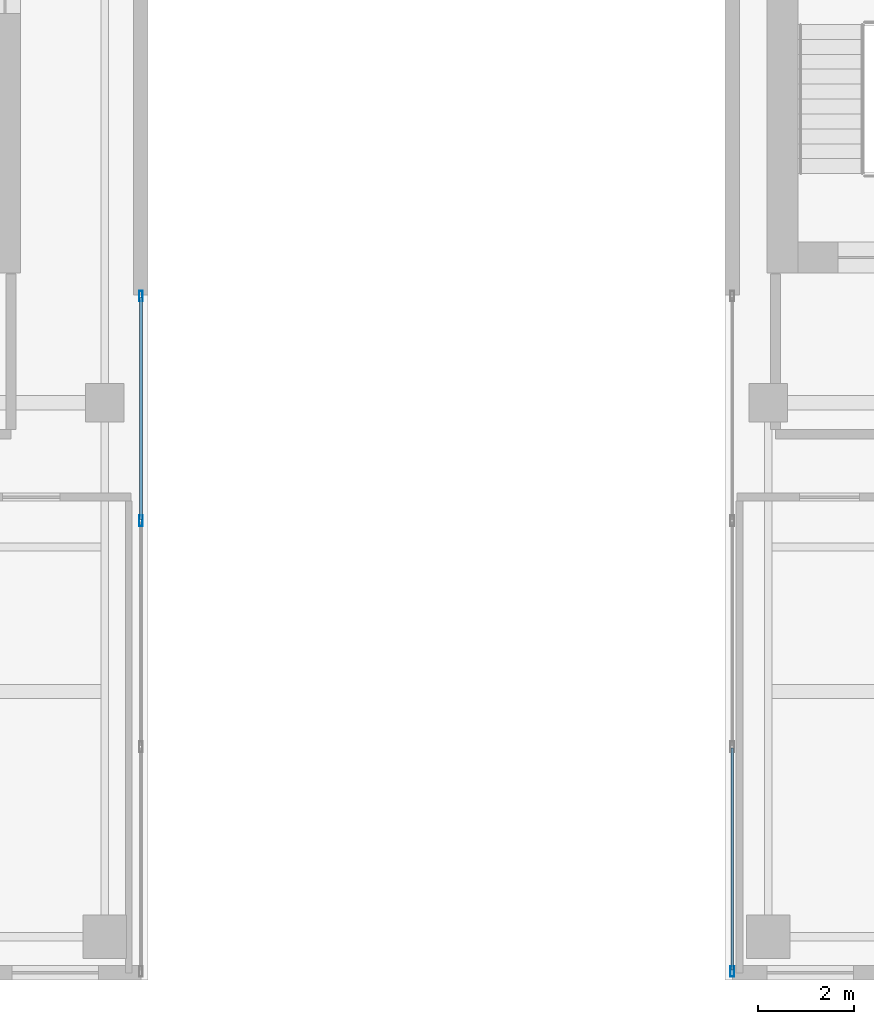
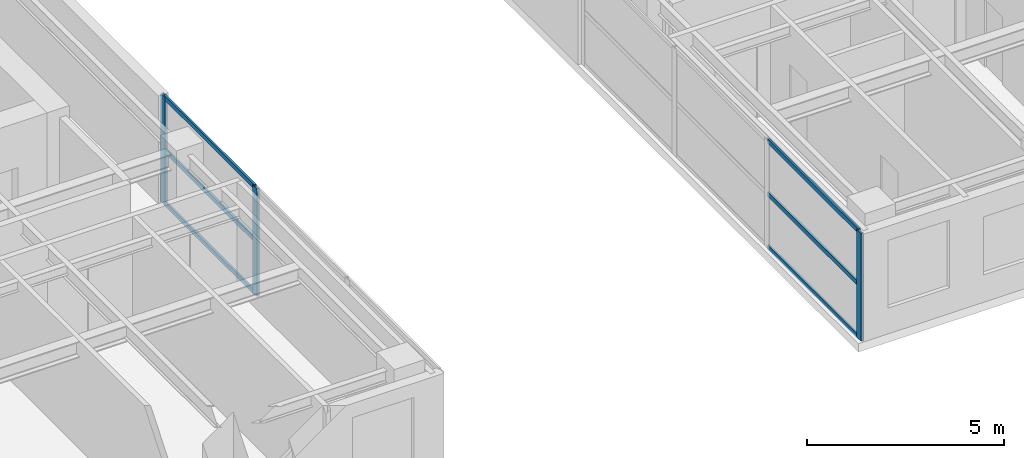
# One storey, part 5 of 20: 9 members, 2 elements without a shape of their own.
"""IFC4 building model written with IfcOpenShell, lengths in metres."""

from ifc_helpers import new_model, si_unit, direction, frame, origin, origin_2d, place, context, subcontext, project, spatial, hollow_rectangle, extrude, source, transform, mapped, material, layer, layer_set, material_profile, profile_set, type_object, element, aggregate, save


model = new_model("IFC4")

# Units and contexts
model_context = context("Model", 3, precision=1e-05, world=origin(), true_north=direction((0.0, 1.0)))
body_context = subcontext(model_context, "Body", "Model", "MODEL_VIEW")
ifc_project = project(units=[si_unit("LENGTHUNIT", "METRE"), si_unit("AREAUNIT", "SQUARE_METRE"), si_unit("VOLUMEUNIT", "CUBIC_METRE"), si_unit("PLANEANGLEUNIT", "RADIAN"), si_unit("MASSUNIT", "GRAM", prefix="KILO")], contexts=[model_context])

# Site, building, storey
site_placement = place(None, origin())
site = spatial("IfcSite", under=ifc_project, at=site_placement, CompositionType="ELEMENT")
building_placement = place(site_placement, origin())
building = spatial("IfcBuilding", under=site, at=building_placement, Name="Khoralis Quay Care Tower", CompositionType="ELEMENT")
storey_placement = place(building_placement, frame((0.0, 0.0, 198.89990234375)))
storey = spatial("IfcBuildingStorey", under=building, at=storey_placement, Name="L52", CompositionType="ELEMENT", Elevation=198.89990234375)

# Curtain wall, members
ifc_material = material(Name="Pale anodised aluminium", Category="aluminium")
ifc_layer = layer(ifc_material, 0.18994140625)
ifc_layer_set = layer_set([ifc_layer], Name="Pale anodised aluminium")
curtain_wall_type = type_object("IfcCurtainWallType", Name="CW-SYS-PORTAL", PredefinedType="NOTDEFINED", material=ifc_layer_set)
curtain_wall_1_placement = place(storey_placement, origin())
curtain_wall_1 = element("IfcCurtainWall", 1, at=curtain_wall_1_placement, inside=storey, type_object=curtain_wall_type, Name="L52 Unitised Curtain Wall CW-VP-L52-P1-S", PredefinedType="NOTDEFINED")
ifc_material_profile_1 = material_profile(ifc_material, hollow_rectangle(XDim=0.074951171875, YDim=0.219970703125, WallThickness=0.00390625, at=origin_2d()), Name="Pale anodised aluminium")
ifc_profile_set_1 = profile_set([ifc_material_profile_1], Name="Pale anodised aluminium")
member_type_1 = type_object("IfcMemberType", Name="CW-MUL-220", PredefinedType="MULLION", material=ifc_profile_set_1)
shared_shape_1 = source(origin(), body_context, "Body", "SweptSolid", [
    extrude(hollow_rectangle(XDim=0.074951171875, YDim=0.219970703125, WallThickness=0.00390625, at=origin_2d()), origin(), (0.0, 0.0, 1.0), 3.340087890625),
])
member_1_placement = place(storey_placement, frame((17.85009765625, 9.550048828125, 0.0), z_axis=(0.0, 0.0, 1.0), x_axis=(-1.0, 0.0, 0.0)))
member_1 = element("IfcMember", 2, at=member_1_placement, type_object=member_type_1, Name="CW4 mullion 3", PredefinedType="MULLION", context=body_context, shape_type="MappedRepresentation", body=[
    mapped(shared_shape_1, transform((0.0, 0.0, 0.0), scale=1.0)),
])
member_2_placement = place(storey_placement, frame((17.85009765625, 14.219970703125, 0.0), z_axis=(0.0, 0.0, 1.0), x_axis=(-1.0, 0.0, 0.0)))
member_2 = element("IfcMember", 3, at=member_2_placement, type_object=member_type_1, Name="CW4 mullion 4", PredefinedType="MULLION", context=body_context, shape_type="MappedRepresentation", body=[
    mapped(shared_shape_1, transform((0.0, 0.0, 0.0), scale=1.0)),
])

curtain_wall_2_placement = place(storey_placement, origin())
curtain_wall_2 = element("IfcCurtainWall", 4, at=curtain_wall_2_placement, inside=storey, type_object=curtain_wall_type, Name="L52 Unitised Curtain Wall CW-VP-L52-P2-S", PredefinedType="NOTDEFINED")
member_3_placement = place(storey_placement, frame((30.14990234375, 0.179931640625, 0.0), z_axis=(0.0, 0.0, 1.0), x_axis=(-1.0, 0.0, 0.0)))
member_3 = element("IfcMember", 5, at=member_3_placement, type_object=member_type_1, Name="CW4 mullion 1", PredefinedType="MULLION", context=body_context, shape_type="MappedRepresentation", body=[
    mapped(shared_shape_1, transform((0.0, 0.0, 0.0), scale=1.0)),
])
ifc_material_profile_2 = material_profile(ifc_material, hollow_rectangle(XDim=0.06005859375, YDim=0.139892578125, WallThickness=0.00390625, at=origin_2d()), Name="Pale anodised aluminium")
ifc_profile_set_2 = profile_set([ifc_material_profile_2], Name="Pale anodised aluminium")
member_type_2 = type_object("IfcMemberType", Name="CW-TRN-140", PredefinedType="USERDEFINED", material=ifc_profile_set_2)
shared_shape_2 = source(origin(), body_context, "Body", "SweptSolid", [
    extrude(hollow_rectangle(XDim=0.06005859375, YDim=0.139892578125, WallThickness=0.00390625, at=origin_2d()), origin(), (0.0, 0.0, 1.0), 4.610107421875),
])
member_4_placement = place(storey_placement, frame((30.14990234375, 0.2099609375, 0.030029296875), z_axis=(0.0, 1.0, 0.0), x_axis=(-1.0, 0.0, 0.0)))
member_4 = element("IfcMember", 6, at=member_4_placement, type_object=member_type_2, Name="CW4 transom 1.1", ObjectType="TRANSOM", PredefinedType="USERDEFINED", context=body_context, shape_type="MappedRepresentation", body=[
    mapped(shared_shape_2, transform((0.0, 0.0, 0.0), scale=1.0)),
])
member_5_placement = place(storey_placement, frame((30.14990234375, 0.2099609375, 1.670166015625), z_axis=(0.0, 1.0, 0.0), x_axis=(-1.0, 0.0, 0.0)))
member_5 = element("IfcMember", 7, at=member_5_placement, type_object=member_type_2, Name="CW4 transom 1.2", ObjectType="TRANSOM", PredefinedType="USERDEFINED", context=body_context, shape_type="MappedRepresentation", body=[
    mapped(shared_shape_2, transform((0.0, 0.0, 0.0), scale=1.0)),
])
member_6_placement = place(storey_placement, frame((30.14990234375, 0.2099609375, 3.31005859375), z_axis=(0.0, 1.0, 0.0), x_axis=(-1.0, 0.0, 0.0)))
member_6 = element("IfcMember", 8, at=member_6_placement, type_object=member_type_2, Name="CW4 transom 1.3", ObjectType="TRANSOM", PredefinedType="USERDEFINED", context=body_context, shape_type="MappedRepresentation", body=[
    mapped(shared_shape_2, transform((0.0, 0.0, 0.0), scale=1.0)),
])
aggregate(curtain_wall_2, [member_3, member_4, member_5, member_6])

# Member
shared_shape_3 = source(origin(), body_context, "Body", "SweptSolid", [
    extrude(hollow_rectangle(XDim=0.06005859375, YDim=0.139892578125, WallThickness=0.00390625, at=origin_2d()), origin(), (0.0, 0.0, 1.0), 4.60986328125),
])
member_7_placement = place(storey_placement, frame((17.85009765625, 9.580078125, 0.030029296875), z_axis=(0.0, 1.0, 0.0), x_axis=(-1.0, 0.0, 0.0)))
member_7 = element("IfcMember", 9, at=member_7_placement, type_object=member_type_2, Name="CW4 transom 3.1", ObjectType="TRANSOM", PredefinedType="USERDEFINED", context=body_context, shape_type="MappedRepresentation", body=[
    mapped(shared_shape_3, transform((0.0, 0.0, 0.0), scale=1.0)),
])

member_8_placement = place(storey_placement, frame((17.85009765625, 9.580078125, 1.670166015625), z_axis=(0.0, 1.0, 0.0), x_axis=(-1.0, 0.0, 0.0)))
member_8 = element("IfcMember", 10, at=member_8_placement, type_object=member_type_2, Name="CW4 transom 3.2", ObjectType="TRANSOM", PredefinedType="USERDEFINED", context=body_context, shape_type="MappedRepresentation", body=[
    mapped(shared_shape_3, transform((0.0, 0.0, 0.0), scale=1.0)),
])

member_9_placement = place(storey_placement, frame((17.85009765625, 9.580078125, 3.31005859375), z_axis=(0.0, 1.0, 0.0), x_axis=(-1.0, 0.0, 0.0)))
member_9 = element("IfcMember", 11, at=member_9_placement, type_object=member_type_2, Name="CW4 transom 3.3", ObjectType="TRANSOM", PredefinedType="USERDEFINED", context=body_context, shape_type="MappedRepresentation", body=[
    mapped(shared_shape_3, transform((0.0, 0.0, 0.0), scale=1.0)),
])

aggregate(curtain_wall_1, [member_1, member_2, member_7, member_8, member_9])

save(model, "model.ifc")
